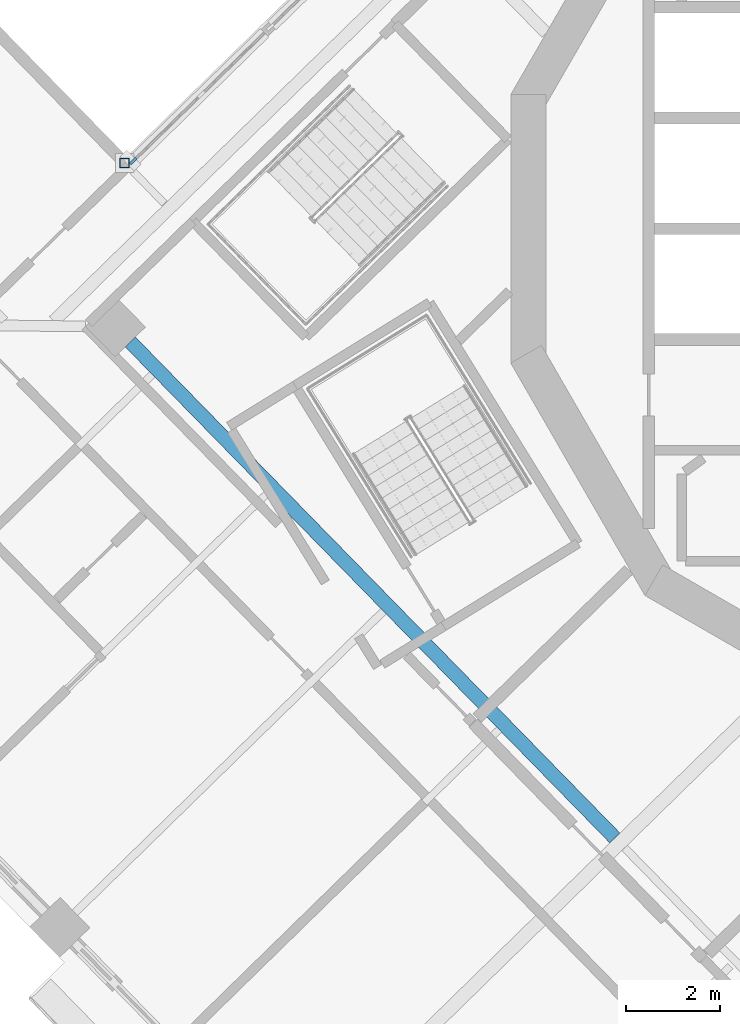
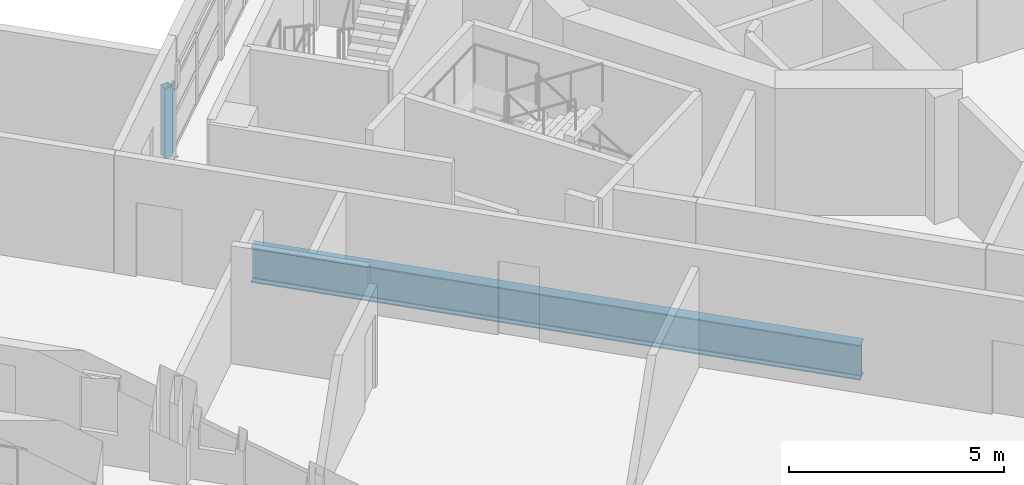
# One storey, part 2 of 21: 2 members, 1 beam, 1 element without a shape of its own.
"""IFC4 building model written with IfcOpenShell, lengths in metres."""

from ifc_helpers import new_model, si_unit, direction, frame, origin, origin_2d, place, context, subcontext, project, spatial, rectangle, hollow_rectangle, i_section, extrude, material, material_profile, profile_set, type_object, element, aggregate, save


model = new_model("IFC4")

# Units and contexts
model_context = context("Model", 3, precision=1e-05, world=origin(), true_north=direction((0.0, 1.0)))
body_context = subcontext(model_context, "Body", "Model", "MODEL_VIEW")
ifc_project = project(units=[si_unit("LENGTHUNIT", "METRE"), si_unit("AREAUNIT", "SQUARE_METRE"), si_unit("VOLUMEUNIT", "CUBIC_METRE"), si_unit("PLANEANGLEUNIT", "RADIAN"), si_unit("MASSUNIT", "GRAM", prefix="KILO")], contexts=[model_context])

# Site, building, storey
site_placement = place(None, origin())
site = spatial("IfcSite", under=ifc_project, at=site_placement, CompositionType="ELEMENT")
building_placement = place(site_placement, origin())
building = spatial("IfcBuilding", under=site, at=building_placement, Name="Cantera Rosa Tower", CompositionType="ELEMENT")
storey_placement = place(building_placement, frame((0.0, 0.0, 234.199951171875)))
storey = spatial("IfcBuildingStorey", under=building, at=storey_placement, Name="L51", CompositionType="ELEMENT", Elevation=234.199951171875)

# Curtain wall, member
ifc_material_1 = material(Name="Aluminium frame with clear glass", Category="aluminium")
curtain_wall_type = type_object("IfcCurtainWallType", Name="CW1 TERRACE POCKET GLAZING", PredefinedType="NOTDEFINED", material=ifc_material_1)
curtain_wall_placement = place(storey_placement, origin())
curtain_wall = element("IfcCurtainWall", 1, at=curtain_wall_placement, inside=storey, type_object=curtain_wall_type, Name="CW1 CW1", PredefinedType="NOTDEFINED")
ifc_material_2 = material(Name="Anodised bronze aluminium", Category="aluminium")
ifc_material_profile_1 = material_profile(ifc_material_2, rectangle(XDim=0.06005859375, YDim=0.179931640625, at=origin_2d()), Name="CW-MULLION 60x180 POCKET")
ifc_profile_set_1 = profile_set([ifc_material_profile_1], Name="Anodised bronze aluminium")
member_type_1 = type_object("IfcMemberType", Name="CW-MULLION 60x180 POCKET", PredefinedType="MULLION", material=ifc_profile_set_1)
member_1_placement = place(storey_placement, frame((-18.634521484375, 1.436767578125, 0.0), z_axis=(0.0, 0.0, 1.0), x_axis=(0.698831540401, -0.715286291034, 0.0)))
member_1 = element("IfcMember", 2, at=member_1_placement, type_object=member_type_1, Name="CW1 mullion 9", PredefinedType="MULLION", context=body_context, shape_type="SweptSolid", body=[
    extrude(rectangle(XDim=0.06005859375, YDim=0.179931640625, at=origin_2d()), origin(), (0.0, 0.0, 1.0), 1.988037109375),
])
aggregate(curtain_wall, [member_1])

# Member
ifc_material_3 = material(Name="Steel ASTM A992 (Fy 345 MPa)", Category="steel")
ifc_material_profile_2 = material_profile(ifc_material_3, hollow_rectangle(XDim=0.199951171875, YDim=0.199951171875, WallThickness=0.010009765625, at=origin_2d()), Name="LINTEL POST RHS 200x200x10")
ifc_profile_set_2 = profile_set([ifc_material_profile_2], Name="Steel ASTM A992 (Fy 345 MPa)")
member_type_2 = type_object("IfcMemberType", Name="LINTEL POST RHS 200x200x10", PredefinedType="USERDEFINED", material=ifc_profile_set_2)
member_2_placement = place(storey_placement, frame((-18.815185546875, 1.39990234375, 0.0), z_axis=(0.0, 0.0, 1.0), x_axis=(1.0, 0.0, 0.0)))
element("IfcMember", 3, at=member_2_placement, inside=storey, type_object=member_type_2, Name="LINTEL POST L51-2", ObjectType="LINTEL POST", PredefinedType="USERDEFINED", context=body_context, shape_type="SweptSolid", body=[
    extrude(hollow_rectangle(XDim=0.199951171875, YDim=0.199951171875, WallThickness=0.010009765625, at=origin_2d()), origin(), (0.0, 0.0, 1.0), 1.989990234375),
])

# Beam
ifc_material_4 = material(Name="Steel ASTM A992 (Fy 345 MPa)", Category="steel")
ifc_material_profile_3 = material_profile(ifc_material_4, i_section(OverallWidth=0.300048828125, OverallDepth=0.990966796875, WebThickness=0.0166015625, FlangeThickness=0.030517578125, FilletRadius=0.030029296875, at=origin_2d()), Name="W1000X272")
ifc_profile_set_3 = profile_set([ifc_material_profile_3], Name="Steel ASTM A992 (Fy 345 MPa)")
beam_type = type_object("IfcBeamType", Name="STEEL BEAM W1000X272", PredefinedType="BEAM", material=ifc_profile_set_3)
beam_placement = place(storey_placement, frame((-8.4169921875, -12.9208984375, -0.745361328125), z_axis=(-0.698826825527, 0.715290897415, 0.0), x_axis=(-0.715290897415, -0.698826825527, 0.0)))
element("IfcBeam", 4, at=beam_placement, inside=storey, type_object=beam_type, Name="RB-Z4-07 L51", PredefinedType="BEAM", context=body_context, shape_type="SweptSolid", body=[
    extrude(i_section(OverallWidth=0.300048828125, OverallDepth=0.990966796875, WebThickness=0.0166015625, FlangeThickness=0.030517578125, FilletRadius=0.030029296875, at=origin_2d()), origin(), (0.0, 0.0, 1.0), 14.7099609375),
])

save(model, "model.ifc")
